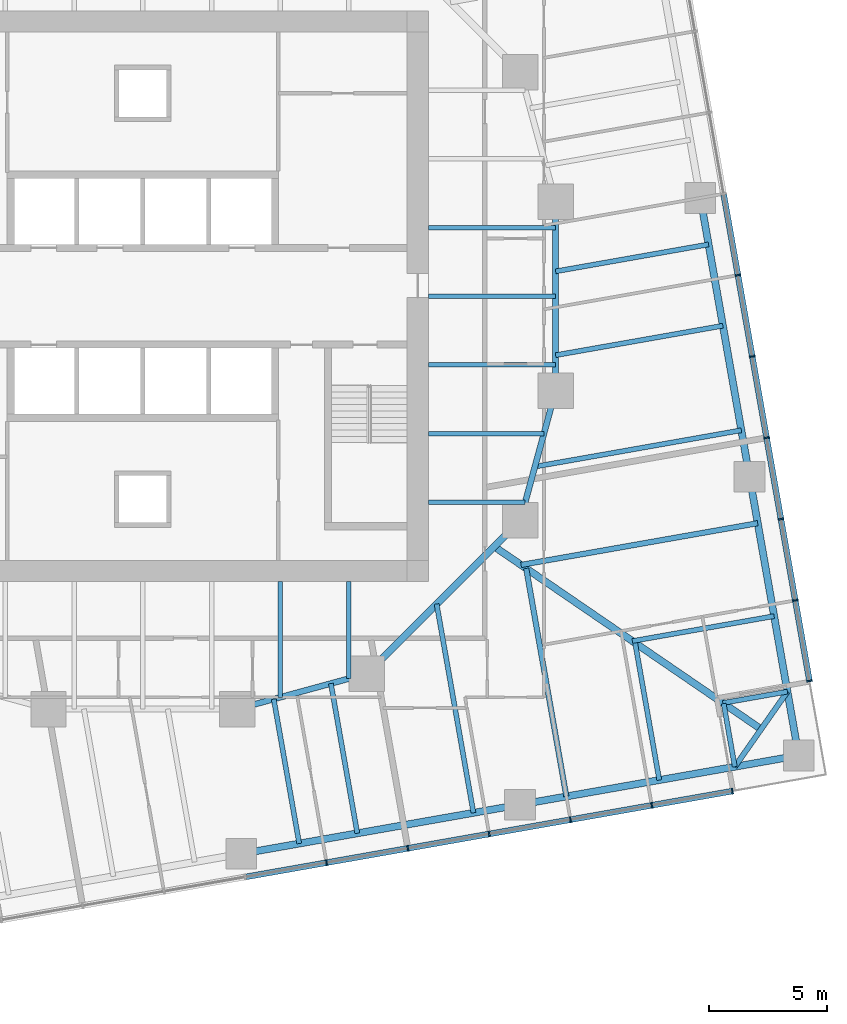
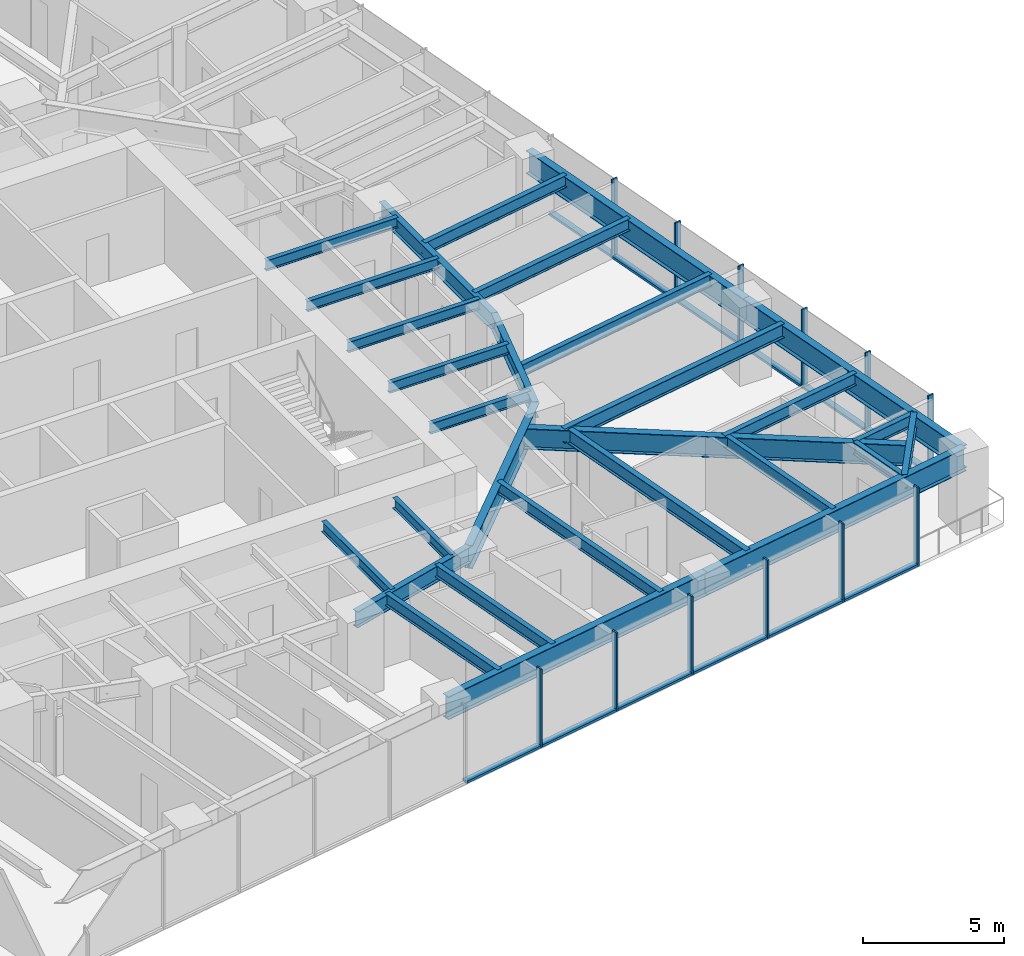
# One storey, part 4 of 14: 29 beams, 24 members, 2 elements without a shape of their own.
"""IFC4 building model written with IfcOpenShell, lengths in metres."""

from ifc_helpers import new_model, si_unit, direction, frame, origin, origin_2d, place, context, subcontext, project, spatial, rectangle, i_section, extrude, material, material_profile, profile_set, type_object, element, aggregate, save


model = new_model("IFC4")

# Units and contexts
model_context = context("Model", 3, precision=1e-05, world=origin(), true_north=direction((0.0, 1.0)))
body_context = subcontext(model_context, "Body", "Model", "MODEL_VIEW")
ifc_project = project(units=[si_unit("LENGTHUNIT", "METRE"), si_unit("AREAUNIT", "SQUARE_METRE"), si_unit("VOLUMEUNIT", "CUBIC_METRE"), si_unit("PLANEANGLEUNIT", "RADIAN"), si_unit("MASSUNIT", "GRAM", prefix="KILO")], contexts=[model_context])

# Site, building, storey
site_placement = place(None, origin())
site = spatial("IfcSite", under=ifc_project, at=site_placement, CompositionType="ELEMENT")
building_placement = place(site_placement, origin())
building = spatial("IfcBuilding", under=site, at=building_placement, Name="Torsade Residences", CompositionType="ELEMENT")
storey_placement = place(building_placement, frame((0.0, 0.0, 79.39990234375)))
storey = spatial("IfcBuildingStorey", under=building, at=storey_placement, Name="L21", CompositionType="ELEMENT", Elevation=79.39990234375)

# Beams
ifc_material_1 = material(Name="Steel grade 300", Category="steel")
ifc_material_profile_1 = material_profile(ifc_material_1, i_section(OverallWidth=0.300048828125, OverallDepth=0.89990234375, WebThickness=0.011962890625, FlangeThickness=0.02490234375, at=origin_2d()), Name="900WB175")
ifc_profile_set_1 = profile_set([ifc_material_profile_1], Name="Steel grade 300")
beam_type_1 = type_object("IfcBeamType", Name="CORNER GIRDER 900WB175", PredefinedType="BEAM", material=ifc_profile_set_1)
beam_1_placement = place(storey_placement, frame((66.2099609375, 11.6474609375, 2.800048828125), z_axis=(-0.825279313977, 0.564724759437, 0.0), x_axis=(-0.564724759437, -0.825279313977, 0.0)))
element("IfcBeam", 1, at=beam_1_placement, inside=storey, type_object=beam_type_1, Name="Corner girder 05 L22", PredefinedType="BEAM", context=body_context, shape_type="SweptSolid", body=[
    extrude(i_section(OverallWidth=0.300048828125, OverallDepth=0.89990234375, WebThickness=0.011962890625, FlangeThickness=0.02490234375, at=origin_2d()), origin(), (0.0, 0.0, 1.0), 13.7138671875),
])
ifc_material_2 = material(Name="Steel grade 300", Category="steel")
ifc_material_profile_2 = material_profile(ifc_material_2, i_section(OverallWidth=0.22802734375, OverallDepth=0.60205078125, WebThickness=0.010498046875, FlangeThickness=0.014892578125, FilletRadius=0.013916015625, at=origin_2d()), Name="610UB101")
ifc_profile_set_2 = profile_set([ifc_material_profile_2], Name="Steel grade 300")
beam_type_2 = type_object("IfcBeamType", Name="CORNER TRIMMER 610UB101", PredefinedType="BEAM", material=ifc_profile_set_2)
beam_2_placement = place(storey_placement, frame((67.325439453125, 13.240478515625, 2.94921875), z_axis=(-0.573576092373, -0.819152285145, 0.0), x_axis=(0.819152285145, -0.573576092373, 0.0)))
element("IfcBeam", 2, at=beam_2_placement, inside=storey, type_object=beam_type_2, Name="Corner trimmer 05 L22", PredefinedType="BEAM", context=body_context, shape_type="SweptSolid", body=[
    extrude(i_section(OverallWidth=0.22802734375, OverallDepth=0.60205078125, WebThickness=0.010498046875, FlangeThickness=0.014892578125, FilletRadius=0.013916015625, at=origin_2d()), origin(), (0.0, 0.0, 1.0), 3.88916015625),
])

# Curtain wall, members
ifc_material_3 = material(Name="Aluminium and glass", Category="aluminium")
curtain_wall_type = type_object("IfcCurtainWallType", Name="FRITTED GLASS CURTAIN WALL LOW ZONE", PredefinedType="NOTDEFINED", material=ifc_material_3)
curtain_wall_1_placement = place(storey_placement, origin())
curtain_wall_1 = element("IfcCurtainWall", 3, at=curtain_wall_1_placement, inside=storey, type_object=curtain_wall_type, Name="Curtain wall L21 face 1", PredefinedType="NOTDEFINED")
ifc_material_4 = material(Name="Aluminium mullion", Category="aluminium")
ifc_material_profile_3 = material_profile(ifc_material_4, rectangle(XDim=0.25, YDim=0.06494140625, at=origin_2d()), Name="CURTAIN WALL MULLION 250x65")
ifc_profile_set_3 = profile_set([ifc_material_profile_3], Name="Aluminium mullion")
member_type_1 = type_object("IfcMemberType", Name="CURTAIN WALL MULLION 250x65", PredefinedType="MULLION", material=ifc_profile_set_3)
member_1_placement = place(storey_placement, frame((47.7880859375, 5.987548828125, 0.0), z_axis=(0.0, 0.0, 1.0), x_axis=(-0.173648192638, 0.984807750372, 0.0)))
member_1 = element("IfcMember", 4, at=member_1_placement, type_object=member_type_1, Name="Mullion 8", PredefinedType="MULLION", context=body_context, shape_type="SweptSolid", body=[
    extrude(rectangle(XDim=0.25, YDim=0.06494140625, at=origin_2d()), origin(), (0.0, 0.0, 1.0), 3.400146484375),
])
member_2_placement = place(storey_placement, frame((51.23486328125, 6.595458984375, 0.0), z_axis=(0.0, 0.0, 1.0), x_axis=(-0.173648192638, 0.984807750372, 0.0)))
member_2 = element("IfcMember", 5, at=member_2_placement, type_object=member_type_1, Name="Mullion 9", PredefinedType="MULLION", context=body_context, shape_type="SweptSolid", body=[
    extrude(rectangle(XDim=0.25, YDim=0.06494140625, at=origin_2d()), origin(), (0.0, 0.0, 1.0), 3.400146484375),
])
member_3_placement = place(storey_placement, frame((54.681640625, 7.203125, 0.0), z_axis=(0.0, 0.0, 1.0), x_axis=(-0.173648192638, 0.984807750372, 0.0)))
member_3 = element("IfcMember", 6, at=member_3_placement, type_object=member_type_1, Name="Mullion 10", PredefinedType="MULLION", context=body_context, shape_type="SweptSolid", body=[
    extrude(rectangle(XDim=0.25, YDim=0.06494140625, at=origin_2d()), origin(), (0.0, 0.0, 1.0), 3.400146484375),
])
member_4_placement = place(storey_placement, frame((58.12841796875, 7.810791015625, 0.0), z_axis=(0.0, 0.0, 1.0), x_axis=(-0.173648192638, 0.984807750372, 0.0)))
member_4 = element("IfcMember", 7, at=member_4_placement, type_object=member_type_1, Name="Mullion 11", PredefinedType="MULLION", context=body_context, shape_type="SweptSolid", body=[
    extrude(rectangle(XDim=0.25, YDim=0.06494140625, at=origin_2d()), origin(), (0.0, 0.0, 1.0), 3.400146484375),
])
member_5_placement = place(storey_placement, frame((61.575439453125, 8.418701171875, 0.0), z_axis=(0.0, 0.0, 1.0), x_axis=(-0.173648192638, 0.984807750372, 0.0)))
member_5 = element("IfcMember", 8, at=member_5_placement, type_object=member_type_1, Name="Mullion 12", PredefinedType="MULLION", context=body_context, shape_type="SweptSolid", body=[
    extrude(rectangle(XDim=0.25, YDim=0.06494140625, at=origin_2d()), origin(), (0.0, 0.0, 1.0), 3.400146484375),
])
member_6_placement = place(storey_placement, frame((64.990234375, 9.020751953125, 0.0), z_axis=(0.0, 0.0, 1.0), x_axis=(-0.173648192638, 0.984807750372, 0.0)))
member_6 = element("IfcMember", 9, at=member_6_placement, type_object=member_type_1, Name="Mullion 13", PredefinedType="MULLION", context=body_context, shape_type="SweptSolid", body=[
    extrude(rectangle(XDim=0.25, YDim=0.06494140625, at=origin_2d()), origin(), (0.0, 0.0, 1.0), 3.400146484375),
])

curtain_wall_2_placement = place(storey_placement, origin())
curtain_wall_2 = element("IfcCurtainWall", 10, at=curtain_wall_2_placement, inside=storey, type_object=curtain_wall_type, Name="Curtain wall L21 face 4", PredefinedType="NOTDEFINED")
member_7_placement = place(storey_placement, frame((68.26123046875, 13.692138671875, 0.0), z_axis=(0.0, 0.0, 1.0), x_axis=(-0.984807750372, -0.173648192638, 0.0)))
member_7 = element("IfcMember", 11, at=member_7_placement, type_object=member_type_1, Name="Mullion 1", PredefinedType="MULLION", context=body_context, shape_type="SweptSolid", body=[
    extrude(rectangle(XDim=0.25, YDim=0.06494140625, at=origin_2d()), origin(), (0.0, 0.0, 1.0), 3.400146484375),
])
member_8_placement = place(storey_placement, frame((67.658935546875, 17.107177734375, 0.0), z_axis=(0.0, 0.0, 1.0), x_axis=(-0.984807750372, -0.173648192638, 0.0)))
member_8 = element("IfcMember", 12, at=member_8_placement, type_object=member_type_1, Name="Mullion 2", PredefinedType="MULLION", context=body_context, shape_type="SweptSolid", body=[
    extrude(rectangle(XDim=0.25, YDim=0.06494140625, at=origin_2d()), origin(), (0.0, 0.0, 1.0), 3.400146484375),
])
member_9_placement = place(storey_placement, frame((67.05126953125, 20.553955078125, 0.0), z_axis=(0.0, 0.0, 1.0), x_axis=(-0.984807750372, -0.173648192638, 0.0)))
member_9 = element("IfcMember", 13, at=member_9_placement, type_object=member_type_1, Name="Mullion 3", PredefinedType="MULLION", context=body_context, shape_type="SweptSolid", body=[
    extrude(rectangle(XDim=0.25, YDim=0.06494140625, at=origin_2d()), origin(), (0.0, 0.0, 1.0), 3.400146484375),
])
member_10_placement = place(storey_placement, frame((66.443603515625, 24.000732421875, 0.0), z_axis=(0.0, 0.0, 1.0), x_axis=(-0.984807750372, -0.173648192638, 0.0)))
member_10 = element("IfcMember", 14, at=member_10_placement, type_object=member_type_1, Name="Mullion 4", PredefinedType="MULLION", context=body_context, shape_type="SweptSolid", body=[
    extrude(rectangle(XDim=0.25, YDim=0.06494140625, at=origin_2d()), origin(), (0.0, 0.0, 1.0), 3.400146484375),
])
member_11_placement = place(storey_placement, frame((65.835693359375, 27.447509765625, 0.0), z_axis=(0.0, 0.0, 1.0), x_axis=(-0.984807750372, -0.173648192638, 0.0)))
member_11 = element("IfcMember", 15, at=member_11_placement, type_object=member_type_1, Name="Mullion 5", PredefinedType="MULLION", context=body_context, shape_type="SweptSolid", body=[
    extrude(rectangle(XDim=0.25, YDim=0.06494140625, at=origin_2d()), origin(), (0.0, 0.0, 1.0), 3.400146484375),
])
member_12_placement = place(storey_placement, frame((65.22802734375, 30.894287109375, 0.0), z_axis=(0.0, 0.0, 1.0), x_axis=(-0.984807750372, -0.173648192638, 0.0)))
member_12 = element("IfcMember", 16, at=member_12_placement, type_object=member_type_1, Name="Mullion 6", PredefinedType="MULLION", context=body_context, shape_type="SweptSolid", body=[
    extrude(rectangle(XDim=0.25, YDim=0.06494140625, at=origin_2d()), origin(), (0.0, 0.0, 1.0), 3.400146484375),
])

# Member
ifc_material_5 = material(Name="Aluminium transom", Category="aluminium")
ifc_material_profile_4 = material_profile(ifc_material_5, rectangle(XDim=0.25, YDim=0.10009765625, at=origin_2d()), Name="CURTAIN WALL TRANSOM 250x100")
ifc_profile_set_4 = profile_set([ifc_material_profile_4], Name="Aluminium transom")
member_type_2 = type_object("IfcMemberType", Name="CURTAIN WALL TRANSOM 250x100", PredefinedType="USERDEFINED", material=ifc_profile_set_4)
member_13_placement = place(storey_placement, frame((44.373291015625, 5.385498046875, 0.050048828125), z_axis=(0.984810021497, 0.17363531196, 0.0), x_axis=(-0.17363531196, 0.984810021497, 0.0)))
member_13 = element("IfcMember", 17, at=member_13_placement, type_object=member_type_2, Name="Transom 7.1", ObjectType="TRANSOM", PredefinedType="USERDEFINED", context=body_context, shape_type="SweptSolid", body=[
    extrude(rectangle(XDim=0.25, YDim=0.10009765625, at=origin_2d()), origin(), (0.0, 0.0, 1.0), 3.43505859375),
])

member_14_placement = place(storey_placement, frame((47.820068359375, 5.9931640625, 0.050048828125), z_axis=(0.984810021497, 0.17363531196, 0.0), x_axis=(-0.17363531196, 0.984810021497, 0.0)))
member_14 = element("IfcMember", 18, at=member_14_placement, type_object=member_type_2, Name="Transom 8.1", ObjectType="TRANSOM", PredefinedType="USERDEFINED", context=body_context, shape_type="SweptSolid", body=[
    extrude(rectangle(XDim=0.25, YDim=0.10009765625, at=origin_2d()), origin(), (0.0, 0.0, 1.0), 3.43505859375),
])

member_15_placement = place(storey_placement, frame((51.266845703125, 6.60107421875, 0.050048828125), z_axis=(0.984810021497, 0.17363531196, 0.0), x_axis=(-0.17363531196, 0.984810021497, 0.0)))
member_15 = element("IfcMember", 19, at=member_15_placement, type_object=member_type_2, Name="Transom 9.1", ObjectType="TRANSOM", PredefinedType="USERDEFINED", context=body_context, shape_type="SweptSolid", body=[
    extrude(rectangle(XDim=0.25, YDim=0.10009765625, at=origin_2d()), origin(), (0.0, 0.0, 1.0), 3.43505859375),
])

member_16_placement = place(storey_placement, frame((54.713623046875, 7.208740234375, 0.050048828125), z_axis=(0.984810021497, 0.17363531196, 0.0), x_axis=(-0.17363531196, 0.984810021497, 0.0)))
member_16 = element("IfcMember", 20, at=member_16_placement, type_object=member_type_2, Name="Transom 10.1", ObjectType="TRANSOM", PredefinedType="USERDEFINED", context=body_context, shape_type="SweptSolid", body=[
    extrude(rectangle(XDim=0.25, YDim=0.10009765625, at=origin_2d()), origin(), (0.0, 0.0, 1.0), 3.43505859375),
])

member_17_placement = place(storey_placement, frame((58.160400390625, 7.81640625, 0.050048828125), z_axis=(0.98479786563, 0.173704242465, 0.0), x_axis=(-0.173704242465, 0.98479786563, 0.0)))
member_17 = element("IfcMember", 21, at=member_17_placement, type_object=member_type_2, Name="Transom 11.1", ObjectType="TRANSOM", PredefinedType="USERDEFINED", context=body_context, shape_type="SweptSolid", body=[
    extrude(rectangle(XDim=0.25, YDim=0.10009765625, at=origin_2d()), origin(), (0.0, 0.0, 1.0), 3.43505859375),
])

member_18_placement = place(storey_placement, frame((61.607421875, 8.42431640625, 0.050048828125), z_axis=(0.984808830466, 0.173642067011, 0.0), x_axis=(-0.173642067011, 0.984808830466, 0.0)))
member_18 = element("IfcMember", 22, at=member_18_placement, type_object=member_type_2, Name="Transom 12.1", ObjectType="TRANSOM", PredefinedType="USERDEFINED", context=body_context, shape_type="SweptSolid", body=[
    extrude(rectangle(XDim=0.25, YDim=0.10009765625, at=origin_2d()), origin(), (0.0, 0.0, 1.0), 3.402587890625),
])

aggregate(curtain_wall_1, [member_1, member_2, member_3, member_4, member_5, member_6, member_13, member_14, member_15, member_16, member_17, member_18])

member_19_placement = place(storey_placement, frame((68.255615234375, 13.724365234375, 0.050048828125), z_axis=(-0.173654337918, 0.984806666774, 0.0), x_axis=(-0.984806666774, -0.173654337918, 0.0)))
member_19 = element("IfcMember", 23, at=member_19_placement, type_object=member_type_2, Name="Transom 1.1", ObjectType="TRANSOM", PredefinedType="USERDEFINED", context=body_context, shape_type="SweptSolid", body=[
    extrude(rectangle(XDim=0.25, YDim=0.10009765625, at=origin_2d()), origin(), (0.0, 0.0, 1.0), 3.40234375),
])

member_20_placement = place(storey_placement, frame((67.6533203125, 17.13916015625, 0.050048828125), z_axis=(-0.17363531196, 0.984810021497, 0.0), x_axis=(-0.984810021497, -0.17363531196, 0.0)))
member_20 = element("IfcMember", 24, at=member_20_placement, type_object=member_type_2, Name="Transom 2.1", ObjectType="TRANSOM", PredefinedType="USERDEFINED", context=body_context, shape_type="SweptSolid", body=[
    extrude(rectangle(XDim=0.25, YDim=0.10009765625, at=origin_2d()), origin(), (0.0, 0.0, 1.0), 3.43505859375),
])

member_21_placement = place(storey_placement, frame((67.045654296875, 20.5859375, 0.050048828125), z_axis=(-0.17363531196, 0.984810021497, 0.0), x_axis=(-0.984810021497, -0.17363531196, 0.0)))
member_21 = element("IfcMember", 25, at=member_21_placement, type_object=member_type_2, Name="Transom 3.1", ObjectType="TRANSOM", PredefinedType="USERDEFINED", context=body_context, shape_type="SweptSolid", body=[
    extrude(rectangle(XDim=0.25, YDim=0.10009765625, at=origin_2d()), origin(), (0.0, 0.0, 1.0), 3.43505859375),
])

member_22_placement = place(storey_placement, frame((66.437744140625, 24.03271484375, 0.050048828125), z_axis=(-0.17363531196, 0.984810021497, 0.0), x_axis=(-0.984810021497, -0.17363531196, 0.0)))
member_22 = element("IfcMember", 26, at=member_22_placement, type_object=member_type_2, Name="Transom 4.1", ObjectType="TRANSOM", PredefinedType="USERDEFINED", context=body_context, shape_type="SweptSolid", body=[
    extrude(rectangle(XDim=0.25, YDim=0.10009765625, at=origin_2d()), origin(), (0.0, 0.0, 1.0), 3.43505859375),
])

member_23_placement = place(storey_placement, frame((65.830078125, 27.4794921875, 0.050048828125), z_axis=(-0.17363531196, 0.984810021497, 0.0), x_axis=(-0.984810021497, -0.17363531196, 0.0)))
member_23 = element("IfcMember", 27, at=member_23_placement, type_object=member_type_2, Name="Transom 5.1", ObjectType="TRANSOM", PredefinedType="USERDEFINED", context=body_context, shape_type="SweptSolid", body=[
    extrude(rectangle(XDim=0.25, YDim=0.10009765625, at=origin_2d()), origin(), (0.0, 0.0, 1.0), 3.43505859375),
])

member_24_placement = place(storey_placement, frame((65.222412109375, 30.92626953125, 0.050048828125), z_axis=(-0.173704242465, 0.98479786563, 0.0), x_axis=(-0.98479786563, -0.173704242465, 0.0)))
member_24 = element("IfcMember", 28, at=member_24_placement, type_object=member_type_2, Name="Transom 6.1", ObjectType="TRANSOM", PredefinedType="USERDEFINED", context=body_context, shape_type="SweptSolid", body=[
    extrude(rectangle(XDim=0.25, YDim=0.10009765625, at=origin_2d()), origin(), (0.0, 0.0, 1.0), 3.43505859375),
])

aggregate(curtain_wall_2, [member_7, member_8, member_9, member_10, member_11, member_12, member_19, member_20, member_21, member_22, member_23, member_24])

# Beams
ifc_material_6 = material(Name="Steel grade 300", Category="steel")
ifc_material_profile_5 = material_profile(ifc_material_6, i_section(OverallWidth=0.300048828125, OverallDepth=1.0, WebThickness=0.01611328125, FlangeThickness=0.028076171875, at=origin_2d()), Name="1000WB215")
ifc_profile_set_5 = profile_set([ifc_material_profile_5], Name="Steel grade 300")
beam_type_3 = type_object("IfcBeamType", Name="EDGE BEAM 1000WB215", PredefinedType="SPANDREL", material=ifc_profile_set_5)
beam_3_placement = place(storey_placement, frame((44.16748046875, 6.364501953125, 2.75), z_axis=(0.984805261243, 0.173662308598, 0.0), x_axis=(-0.173662308598, 0.984805261243, 0.0)))
element("IfcBeam", 29, at=beam_3_placement, inside=storey, type_object=beam_type_3, Name="Edge beam 03 L22", PredefinedType="SPANDREL", context=body_context, shape_type="SweptSolid", body=[
    extrude(i_section(OverallWidth=0.300048828125, OverallDepth=1.0, WebThickness=0.01611328125, FlangeThickness=0.028076171875, at=origin_2d()), origin(), (0.0, 0.0, 1.0), 12.000244140625),
])
for number, where, z_axis, x_axis, name in (
    (30, (55.9853515625, 8.448486328125, 2.75), (0.984808127031, 0.173646056486, 0.0), (-0.173646056486, 0.984808127031, 0.0), "Edge beam 04 L22"),
    (31, (67.802978515625, 10.5322265625, 2.75), (-0.173646056486, 0.984808127031, 0.0), (-0.984808127031, -0.173646056486, 0.0), "Edge beam 05 L22"),
    (32, (65.71923828125, 22.349853515625, 2.75), (-0.173646056486, 0.984808127031, 0.0), (-0.984808127031, -0.173646056486, 0.0), "Edge beam 06 L22"),
):
    element("IfcBeam", number, at=place(storey_placement, frame(where, z_axis=z_axis, x_axis=x_axis)), inside=storey, type_object=beam_type_3, Name=name, PredefinedType="SPANDREL", context=body_context, shape_type="SweptSolid", body=[
        extrude(i_section(OverallWidth=0.300048828125, OverallDepth=1.0, WebThickness=0.01611328125, FlangeThickness=0.028076171875, at=origin_2d()), origin(), (0.0, 0.0, 1.0), 12.0),
    ])
ifc_material_7 = material(Name="Steel grade 300", Category="steel")
ifc_material_profile_6 = material_profile(ifc_material_7, i_section(OverallWidth=0.18994140625, OverallDepth=0.4541015625, WebThickness=0.008544921875, FlangeThickness=0.0126953125, FilletRadius=0.011474609375, at=origin_2d()), Name="460UB67.1")
ifc_profile_set_6 = profile_set([ifc_material_profile_6], Name="Steel grade 300")
beam_type_4 = type_object("IfcBeamType", Name="INNER FLOOR BEAM 460UB67.1", PredefinedType="JOIST", material=ifc_profile_set_6)
beam_4_placement = place(storey_placement, frame((48.737548828125, 17.89990234375, 3.023193359375), z_axis=(0.0, -1.0, 0.0), x_axis=(1.0, 0.0, 0.0)))
element("IfcBeam", 33, at=beam_4_placement, inside=storey, type_object=beam_type_4, Name="Inner floor beam IS01 L22", PredefinedType="JOIST", context=body_context, shape_type="SweptSolid", body=[
    extrude(i_section(OverallWidth=0.18994140625, OverallDepth=0.4541015625, WebThickness=0.008544921875, FlangeThickness=0.0126953125, FilletRadius=0.011474609375, at=origin_2d()), origin(), (0.0, 0.0, 1.0), 4.10791015625),
])
beam_5_placement = place(storey_placement, frame((45.824951171875, 17.89990234375, 3.023193359375), z_axis=(0.0, -1.0, 0.0), x_axis=(1.0, 0.0, 0.0)))
element("IfcBeam", 34, at=beam_5_placement, inside=storey, type_object=beam_type_4, Name="Inner floor beam IS02 L22", PredefinedType="JOIST", context=body_context, shape_type="SweptSolid", body=[
    extrude(i_section(OverallWidth=0.18994140625, OverallDepth=0.4541015625, WebThickness=0.008544921875, FlangeThickness=0.0126953125, FilletRadius=0.011474609375, at=origin_2d()), origin(), (0.0, 0.0, 1.0), 4.902099609375),
])
beam_6_placement = place(storey_placement, frame((52.10009765625, 21.262451171875, 3.023193359375), z_axis=(1.0, 0.0, 0.0), x_axis=(0.0, 1.0, 0.0)))
element("IfcBeam", 35, at=beam_6_placement, inside=storey, type_object=beam_type_4, Name="Inner floor beam IE01 L22", PredefinedType="JOIST", context=body_context, shape_type="SweptSolid", body=[
    extrude(i_section(OverallWidth=0.18994140625, OverallDepth=0.4541015625, WebThickness=0.008544921875, FlangeThickness=0.0126953125, FilletRadius=0.011474609375, at=origin_2d()), origin(), (0.0, 0.0, 1.0), 4.10791015625),
])
beam_7_placement = place(storey_placement, frame((52.10009765625, 24.175048828125, 3.023193359375), z_axis=(1.0, 0.0, 0.0), x_axis=(0.0, 1.0, 0.0)))
element("IfcBeam", 36, at=beam_7_placement, inside=storey, type_object=beam_type_4, Name="Inner floor beam IE02 L22", PredefinedType="JOIST", context=body_context, shape_type="SweptSolid", body=[
    extrude(i_section(OverallWidth=0.18994140625, OverallDepth=0.4541015625, WebThickness=0.008544921875, FlangeThickness=0.0126953125, FilletRadius=0.011474609375, at=origin_2d()), origin(), (0.0, 0.0, 1.0), 4.902099609375),
])
for number, where, z_axis, x_axis, name in (
    (37, (52.10009765625, 27.08740234375, 3.023193359375), (1.0, 0.0, 0.0), (0.0, 1.0, 0.0), "Inner floor beam IE03 L22"),
    (38, (52.10009765625, 30.0, 3.023193359375), (1.0, 0.0, 0.0), (0.0, 1.0, 0.0), "Inner floor beam IE04 L22"),
    (39, (52.10009765625, 32.91259765625, 3.023193359375), (1.0, 0.0, 0.0), (0.0, 1.0, 0.0), "Inner floor beam IE05 L22"),
):
    element("IfcBeam", number, at=place(storey_placement, frame(where, z_axis=z_axis, x_axis=x_axis)), inside=storey, type_object=beam_type_4, Name=name, PredefinedType="JOIST", context=body_context, shape_type="SweptSolid", body=[
        extrude(i_section(OverallWidth=0.18994140625, OverallDepth=0.4541015625, WebThickness=0.008544921875, FlangeThickness=0.0126953125, FilletRadius=0.011474609375, at=origin_2d()), origin(), (0.0, 0.0, 1.0), 5.39990234375),
    ])
ifc_material_8 = material(Name="Steel grade 300", Category="steel")
ifc_material_profile_7 = material_profile(ifc_material_8, i_section(OverallWidth=0.300048828125, OverallDepth=1.0, WebThickness=0.01611328125, FlangeThickness=0.028076171875, at=origin_2d()), Name="1000WB215")
ifc_profile_set_7 = profile_set([ifc_material_profile_7], Name="Steel grade 300")
beam_type_5 = type_object("IfcBeamType", Name="RING CORNER GIRDER 1000WB215", PredefinedType="BEAM", material=ifc_profile_set_7)
beam_8_placement = place(storey_placement, frame((49.5, 14.0, 2.75), z_axis=(0.707106781187, 0.707106781187, 0.0), x_axis=(-0.707106781187, 0.707106781187, 0.0)))
element("IfcBeam", 40, at=beam_8_placement, inside=storey, type_object=beam_type_5, Name="Ring girder IR15 L22", PredefinedType="BEAM", context=body_context, shape_type="SweptSolid", body=[
    extrude(i_section(OverallWidth=0.300048828125, OverallDepth=1.0, WebThickness=0.01611328125, FlangeThickness=0.028076171875, at=origin_2d()), origin(), (0.0, 0.0, 1.0), 9.1923828125),
])
ifc_material_9 = material(Name="Steel grade 300", Category="steel")
ifc_material_profile_8 = material_profile(ifc_material_9, i_section(OverallWidth=0.25, OverallDepth=0.699951171875, WebThickness=0.010009765625, FlangeThickness=0.02001953125, at=origin_2d()), Name="700WB130")
ifc_profile_set_8 = profile_set([ifc_material_profile_8], Name="Steel grade 300")
beam_type_6 = type_object("IfcBeamType", Name="RING GIRDER 700WB130", PredefinedType="BEAM", material=ifc_profile_set_8)
beam_9_placement = place(storey_placement, frame((57.5, 26.0, 2.900146484375), z_axis=(0.0, 1.0, 0.0), x_axis=(-1.0, 0.0, 0.0)))
element("IfcBeam", 41, at=beam_9_placement, inside=storey, type_object=beam_type_6, Name="Ring girder IR01 L22", PredefinedType="BEAM", context=body_context, shape_type="SweptSolid", body=[
    extrude(i_section(OverallWidth=0.25, OverallDepth=0.699951171875, WebThickness=0.010009765625, FlangeThickness=0.02001953125, at=origin_2d()), origin(), (0.0, 0.0, 1.0), 8.0),
])
for number, where, z_axis, x_axis, name in (
    (42, (44.0, 12.5, 2.900146484375), (0.964763821238, 0.263117405792, 0.0), (-0.263117405792, 0.964763821238, 0.0), "Ring girder IR14 L22"),
    (43, (56.0, 20.5, 2.900146484375), (0.263117405792, 0.964763821238, 0.0), (-0.964763821238, 0.263117405792, 0.0), "Ring girder IR16 L22"),
):
    element("IfcBeam", number, at=place(storey_placement, frame(where, z_axis=z_axis, x_axis=x_axis)), inside=storey, type_object=beam_type_6, Name=name, PredefinedType="BEAM", context=body_context, shape_type="SweptSolid", body=[
        extrude(i_section(OverallWidth=0.25, OverallDepth=0.699951171875, WebThickness=0.010009765625, FlangeThickness=0.02001953125, at=origin_2d()), origin(), (0.0, 0.0, 1.0), 5.700927734375),
    ])
ifc_material_10 = material(Name="Steel grade 300", Category="steel")
ifc_material_profile_9 = material_profile(ifc_material_10, i_section(OverallWidth=0.208984375, OverallDepth=0.528076171875, WebThickness=0.009521484375, FlangeThickness=0.01318359375, FilletRadius=0.013916015625, at=origin_2d()), Name="530UB82.0")
ifc_profile_set_9 = profile_set([ifc_material_profile_9], Name="Steel grade 300")
beam_type_7 = type_object("IfcBeamType", Name="SECONDARY BEAM 530UB82.0", PredefinedType="JOIST", material=ifc_profile_set_9)
beam_10_placement = place(storey_placement, frame((46.629638671875, 6.798828125, 2.986083984375), z_axis=(-0.173655425542, 0.984806474989, 0.0), x_axis=(-0.984806474989, -0.173655425542, 0.0)))
element("IfcBeam", 44, at=beam_10_placement, inside=storey, type_object=beam_type_7, Name="Floor beam FS07 L22", PredefinedType="JOIST", context=body_context, shape_type="SweptSolid", body=[
    extrude(i_section(OverallWidth=0.208984375, OverallDepth=0.528076171875, WebThickness=0.009521484375, FlangeThickness=0.01318359375, FilletRadius=0.013916015625, at=origin_2d()), origin(), (0.0, 0.0, 1.0), 6.21826171875),
])
beam_11_placement = place(storey_placement, frame((49.091552734375, 7.23291015625, 2.986083984375), z_axis=(-0.17363198078, 0.984810608823, 0.0), x_axis=(-0.984810608823, -0.17363198078, 0.0)))
element("IfcBeam", 45, at=beam_11_placement, inside=storey, type_object=beam_type_7, Name="Floor beam FS08 L22", PredefinedType="JOIST", context=body_context, shape_type="SweptSolid", body=[
    extrude(i_section(OverallWidth=0.208984375, OverallDepth=0.528076171875, WebThickness=0.009521484375, FlangeThickness=0.01318359375, FilletRadius=0.013916015625, at=origin_2d()), origin(), (0.0, 0.0, 1.0), 6.4482421875),
])
beam_12_placement = place(storey_placement, frame((54.015625, 8.10107421875, 2.986083984375), z_axis=(-0.173639706679, 0.984809246638, 0.0), x_axis=(-0.984809246638, -0.173639706679, 0.0)))
element("IfcBeam", 46, at=beam_12_placement, inside=storey, type_object=beam_type_7, Name="Floor beam FS09 L22", PredefinedType="JOIST", context=body_context, shape_type="SweptSolid", body=[
    extrude(i_section(OverallWidth=0.208984375, OverallDepth=0.528076171875, WebThickness=0.009521484375, FlangeThickness=0.01318359375, FilletRadius=0.013916015625, at=origin_2d()), origin(), (0.0, 0.0, 1.0), 8.989990234375),
])
beam_13_placement = place(storey_placement, frame((61.89404296875, 9.490234375, 2.986083984375), z_axis=(-0.173629569808, 0.984811033899, 0.0), x_axis=(-0.984811033899, -0.173629569808, 0.0)))
element("IfcBeam", 47, at=beam_13_placement, inside=storey, type_object=beam_type_7, Name="Floor beam FS11 L22", PredefinedType="JOIST", context=body_context, shape_type="SweptSolid", body=[
    extrude(i_section(OverallWidth=0.208984375, OverallDepth=0.528076171875, WebThickness=0.009521484375, FlangeThickness=0.01318359375, FilletRadius=0.013916015625, at=origin_2d()), origin(), (0.0, 0.0, 1.0), 5.9013671875),
])
beam_14_placement = place(storey_placement, frame((65.0947265625, 10.0546875, 2.986083984375), z_axis=(-0.17364710834, 0.984807941563, 0.0), x_axis=(-0.984807941563, -0.17364710834, 0.0)))
element("IfcBeam", 48, at=beam_14_placement, inside=storey, type_object=beam_type_7, Name="Floor beam FS12 L22", PredefinedType="JOIST", context=body_context, shape_type="SweptSolid", body=[
    extrude(i_section(OverallWidth=0.208984375, OverallDepth=0.528076171875, WebThickness=0.009521484375, FlangeThickness=0.01318359375, FilletRadius=0.013916015625, at=origin_2d()), origin(), (0.0, 0.0, 1.0), 2.720458984375),
])
beam_15_placement = place(storey_placement, frame((67.325439453125, 13.240478515625, 2.986083984375), z_axis=(-0.984797700832, -0.173705176765, 0.0), x_axis=(0.173705176765, -0.984797700832, 0.0)))
element("IfcBeam", 49, at=beam_15_placement, inside=storey, type_object=beam_type_7, Name="Floor beam FE01 L22", PredefinedType="JOIST", context=body_context, shape_type="SweptSolid", body=[
    extrude(i_section(OverallWidth=0.208984375, OverallDepth=0.528076171875, WebThickness=0.009521484375, FlangeThickness=0.01318359375, FilletRadius=0.013916015625, at=origin_2d()), origin(), (0.0, 0.0, 1.0), 2.780029296875),
])
beam_16_placement = place(storey_placement, frame((66.760986328125, 16.44091796875, 2.986083984375), z_axis=(-0.984809331556, -0.173639225065, 0.0), x_axis=(0.173639225065, -0.984809331556, 0.0)))
element("IfcBeam", 50, at=beam_16_placement, inside=storey, type_object=beam_type_7, Name="Floor beam FE02 L22", PredefinedType="JOIST", context=body_context, shape_type="SweptSolid", body=[
    extrude(i_section(OverallWidth=0.208984375, OverallDepth=0.528076171875, WebThickness=0.009521484375, FlangeThickness=0.01318359375, FilletRadius=0.013916015625, at=origin_2d()), origin(), (0.0, 0.0, 1.0), 6.100830078125),
])
beam_17_placement = place(storey_placement, frame((65.371826171875, 24.319580078125, 2.986083984375), z_axis=(-0.984804296147, -0.173667781384, 0.0), x_axis=(0.173667781384, -0.984804296147, 0.0)))
element("IfcBeam", 51, at=beam_17_placement, inside=storey, type_object=beam_type_7, Name="Floor beam FE04 L22", PredefinedType="JOIST", context=body_context, shape_type="SweptSolid", body=[
    extrude(i_section(OverallWidth=0.208984375, OverallDepth=0.528076171875, WebThickness=0.009521484375, FlangeThickness=0.01318359375, FilletRadius=0.013916015625, at=origin_2d()), origin(), (0.0, 0.0, 1.0), 8.885986328125),
])
beam_18_placement = place(storey_placement, frame((64.59033203125, 28.751220703125, 2.986083984375), z_axis=(-0.984807104535, -0.173651855324, 0.0), x_axis=(0.173651855324, -0.984807104535, 0.0)))
element("IfcBeam", 52, at=beam_18_placement, inside=storey, type_object=beam_type_7, Name="Floor beam FE05 L22", PredefinedType="JOIST", context=body_context, shape_type="SweptSolid", body=[
    extrude(i_section(OverallWidth=0.208984375, OverallDepth=0.528076171875, WebThickness=0.009521484375, FlangeThickness=0.01318359375, FilletRadius=0.013916015625, at=origin_2d()), origin(), (0.0, 0.0, 1.0), 7.19970703125),
])
beam_19_placement = place(storey_placement, frame((63.982666015625, 32.197998046875, 2.986083984375), z_axis=(-0.984807818459, -0.173647806501, 0.0), x_axis=(0.173647806501, -0.984807818459, 0.0)))
element("IfcBeam", 53, at=beam_19_placement, inside=storey, type_object=beam_type_7, Name="Floor beam FE06 L22", PredefinedType="JOIST", context=body_context, shape_type="SweptSolid", body=[
    extrude(i_section(OverallWidth=0.208984375, OverallDepth=0.528076171875, WebThickness=0.009521484375, FlangeThickness=0.01318359375, FilletRadius=0.013916015625, at=origin_2d()), origin(), (0.0, 0.0, 1.0), 6.582763671875),
])
ifc_material_11 = material(Name="Steel grade 300", Category="steel")
ifc_material_profile_10 = material_profile(ifc_material_11, i_section(OverallWidth=0.22900390625, OverallDepth=0.612060546875, WebThickness=0.011962890625, FlangeThickness=0.01953125, FilletRadius=0.013916015625, at=origin_2d()), Name="610UB125")
ifc_profile_set_10 = profile_set([ifc_material_profile_10], Name="Steel grade 300")
beam_type_8 = type_object("IfcBeamType", Name="SECONDARY BEAM 610UB125", PredefinedType="JOIST", material=ifc_profile_set_10)
beam_20_placement = place(storey_placement, frame((57.954833984375, 8.795654296875, 2.944091796875), z_axis=(-0.173651961637, 0.984807085789, 0.0), x_axis=(-0.984807085789, -0.173651961637, 0.0)))
element("IfcBeam", 54, at=beam_20_placement, inside=storey, type_object=beam_type_8, Name="Floor beam FS10 L22", PredefinedType="JOIST", context=body_context, shape_type="SweptSolid", body=[
    extrude(i_section(OverallWidth=0.22900390625, OverallDepth=0.612060546875, WebThickness=0.011962890625, FlangeThickness=0.01953125, FilletRadius=0.013916015625, at=origin_2d()), origin(), (0.0, 0.0, 1.0), 9.816162109375),
])
beam_21_placement = place(storey_placement, frame((66.06640625, 20.380126953125, 2.944091796875), z_axis=(-0.984808397525, -0.173644522411, 0.0), x_axis=(0.173644522411, -0.984808397525, 0.0)))
element("IfcBeam", 55, at=beam_21_placement, inside=storey, type_object=beam_type_8, Name="Floor beam FE03 L22", PredefinedType="JOIST", context=body_context, shape_type="SweptSolid", body=[
    extrude(i_section(OverallWidth=0.22900390625, OverallDepth=0.612060546875, WebThickness=0.011962890625, FlangeThickness=0.01953125, FilletRadius=0.013916015625, at=origin_2d()), origin(), (0.0, 0.0, 1.0), 10.187744140625),
])

save(model, "model.ifc")
